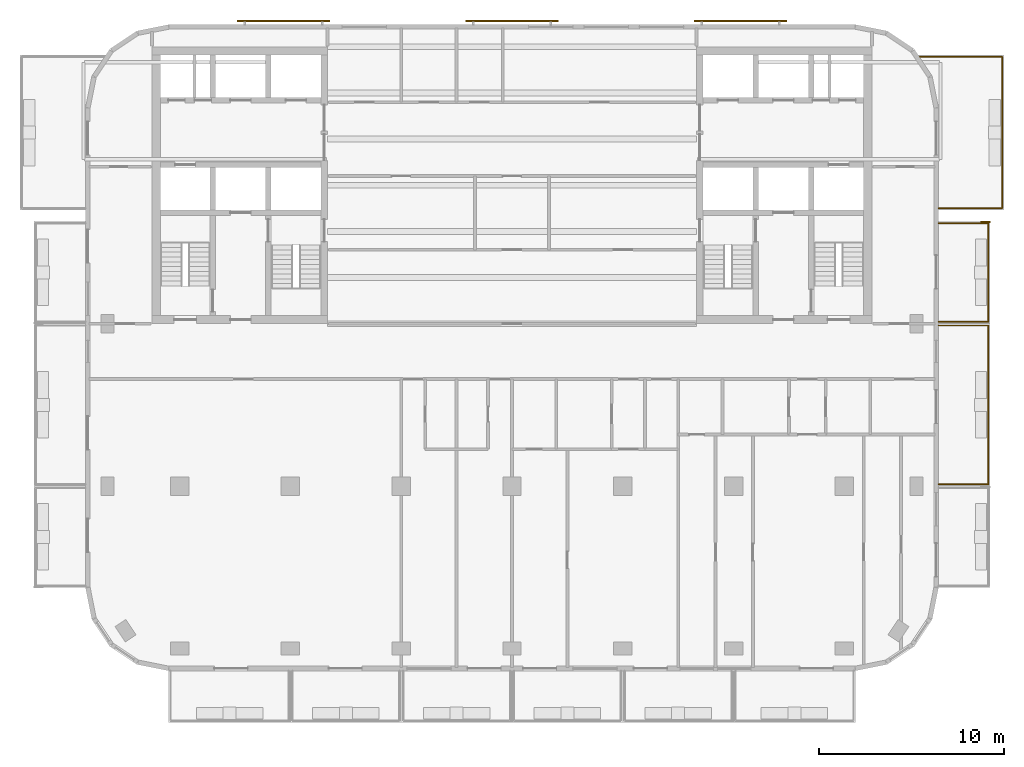
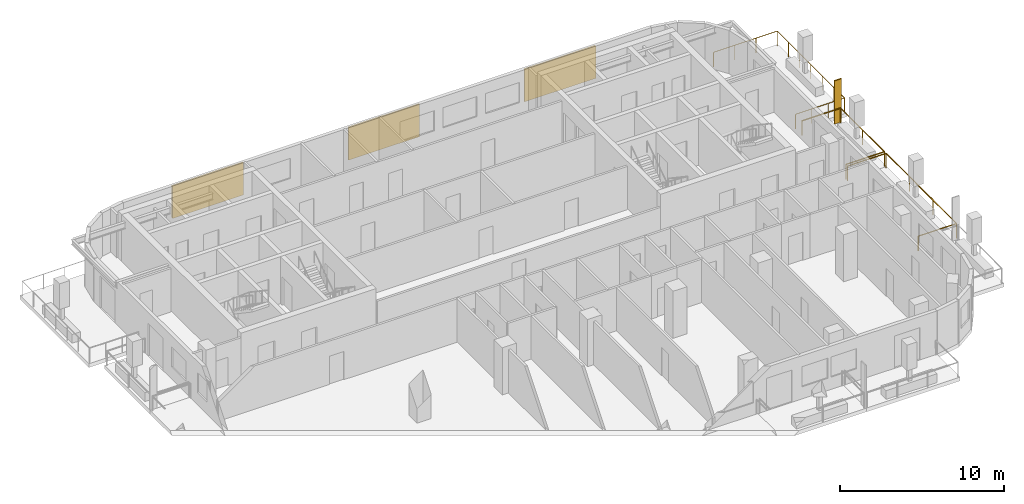
# One storey, part 9 of 10: 4 shading devices, 3 railings.
"""IFC4 building model written with IfcOpenShell, lengths in metres."""

from ifc_helpers import new_model, si_unit, direction, frame, origin, origin_2d, place, context, subcontext, project, spatial, rectangle, circle, extrude, material, layer, layer_set, type_object, element, save


model = new_model("IFC4")

# Units and contexts
model_context = context("Model", 3, precision=1e-05, world=origin(), true_north=direction((0.0, 1.0)))
body_context = subcontext(model_context, "Body", "Model", "MODEL_VIEW")
ifc_project = project(units=[si_unit("LENGTHUNIT", "METRE"), si_unit("AREAUNIT", "SQUARE_METRE"), si_unit("VOLUMEUNIT", "CUBIC_METRE"), si_unit("PLANEANGLEUNIT", "RADIAN"), si_unit("MASSUNIT", "GRAM", prefix="KILO")], contexts=[model_context])

# Site, building, storey
site_placement = place(None, origin())
site = spatial("IfcSite", under=ifc_project, at=site_placement, CompositionType="ELEMENT")
building_placement = place(site_placement, origin())
building = spatial("IfcBuilding", under=site, at=building_placement, Name="Torana Hotel and Residences", CompositionType="ELEMENT")
storey_placement = place(building_placement, frame((0.0, 0.0, 301.60009765625)))
storey = spatial("IfcBuildingStorey", under=building, at=storey_placement, Name="L80", CompositionType="ELEMENT", Elevation=301.60009765625)

# Shading device
ifc_material_1 = material(Name="Black powder coated aluminium", Category="aluminium")
ifc_layer_1 = layer(ifc_material_1, 0.080078125)
ifc_layer_set_1 = layer_set([ifc_layer_1], Name="FN1 VERTICAL FIN 500x80")
shading_device_type_1 = type_object("IfcShadingDeviceType", Name="FN1 VERTICAL FIN 500x80", PredefinedType="USERDEFINED", material=ifc_layer_set_1)
shading_device_placement = place(storey_placement, frame((25.64990234375, -9.489990234375, 0.0), z_axis=(0.0, 0.0, 1.0), x_axis=(0.0, -1.0, 0.0)))
element("IfcShadingDevice", 1, at=shading_device_placement, inside=storey, type_object=shading_device_type_1, Name="Fin 13", ObjectType="FIN", PredefinedType="USERDEFINED", context=body_context, shape_type="SweptSolid", body=[
    extrude(rectangle(XDim=0.080078125, YDim=0.5, at=origin_2d()), origin(), (0.0, 0.0, 1.0), 3.219970703125),
])

# Railings
ifc_material_2 = material(Name="Laminated glass balustrade with black handrail", Category="glass")
railing_type = type_object("IfcRailingType", Name="GR1 BALCONY GUARD 1100 GLASS", PredefinedType="GUARDRAIL", material=ifc_material_2)
railing_1_placement = place(storey_placement, frame((23.10009765625, -15.10009765625, 0.0)))
element("IfcRailing", 2, at=railing_1_placement, inside=storey, type_object=railing_type, Name="Balcony guard 12", PredefinedType="GUARDRAIL", context=body_context, shape_type="SweptSolid", body=[
    extrude(circle(Radius=0.02392578125, at=origin_2d()), frame((0.0, 0.0, 1.076171875), z_axis=(1.0, 0.0, 0.0), x_axis=(0.0, 1.0, 0.0)), (0.0, 0.0, 1.0), 2.699951171875),
    extrude(circle(Radius=0.02392578125, at=origin_2d()), frame((2.699951171875, 0.0, 1.076171875), z_axis=(0.0, -1.0, 0.0), x_axis=(1.0, 0.0, 0.0)), (0.0, 0.0, 1.0), 8.599853515625),
    extrude(circle(Radius=0.02392578125, at=origin_2d()), frame((2.699951171875, -8.599853515625, 1.076171875), z_axis=(-1.0, 0.0, 0.0), x_axis=(0.0, -1.0, 0.0)), (0.0, 0.0, 1.0), 2.699951171875),
    extrude(circle(Radius=0.02099609375, at=origin_2d()), origin(), (0.0, 0.0, 1.0), 1.052001953125),
    extrude(circle(Radius=0.02099609375, at=origin_2d()), frame((2.699951171875, 0.0, 0.0)), (0.0, 0.0, 1.0), 1.052001953125),
    extrude(circle(Radius=0.02099609375, at=origin_2d()), frame((2.699951171875, -2.86669921875, 0.0)), (0.0, 0.0, 1.0), 1.052001953125),
    extrude(circle(Radius=0.02099609375, at=origin_2d()), frame((2.699951171875, -5.733154296875, 0.0)), (0.0, 0.0, 1.0), 1.052001953125),
    extrude(circle(Radius=0.02099609375, at=origin_2d()), frame((2.699951171875, -8.599853515625, 0.0)), (0.0, 0.0, 1.0), 1.052001953125),
    extrude(circle(Radius=0.02099609375, at=origin_2d()), frame((0.0, -8.599853515625, 0.0)), (0.0, 0.0, 1.0), 1.052001953125),
])
railing_2_placement = place(storey_placement, frame((23.10009765625, -9.550048828125, 0.0)))
element("IfcRailing", 3, at=railing_2_placement, inside=storey, type_object=railing_type, Name="Balcony guard 13", PredefinedType="GUARDRAIL", context=body_context, shape_type="SweptSolid", body=[
    extrude(circle(Radius=0.02392578125, at=origin_2d()), frame((0.0, 0.0, 1.076171875), z_axis=(1.0, 0.0, 0.0), x_axis=(0.0, 1.0, 0.0)), (0.0, 0.0, 1.0), 2.699951171875),
    extrude(circle(Radius=0.02392578125, at=origin_2d()), frame((2.699951171875, 0.0, 1.076171875), z_axis=(0.0, -1.0, 0.0), x_axis=(1.0, 0.0, 0.0)), (0.0, 0.0, 1.0), 5.349853515625),
    extrude(circle(Radius=0.02392578125, at=origin_2d()), frame((2.699951171875, -5.349853515625, 1.076171875), z_axis=(-1.0, 0.0, 0.0), x_axis=(0.0, -1.0, 0.0)), (0.0, 0.0, 1.0), 2.699951171875),
    extrude(circle(Radius=0.02099609375, at=origin_2d()), origin(), (0.0, 0.0, 1.0), 1.052001953125),
    extrude(circle(Radius=0.02099609375, at=origin_2d()), frame((2.699951171875, 0.0, 0.0)), (0.0, 0.0, 1.0), 1.052001953125),
    extrude(circle(Radius=0.02099609375, at=origin_2d()), frame((2.699951171875, -2.6748046875, 0.0)), (0.0, 0.0, 1.0), 1.052001953125),
    extrude(circle(Radius=0.02099609375, at=origin_2d()), frame((2.699951171875, -5.349853515625, 0.0)), (0.0, 0.0, 1.0), 1.052001953125),
    extrude(circle(Radius=0.02099609375, at=origin_2d()), frame((0.0, -5.349853515625, 0.0)), (0.0, 0.0, 1.0), 1.052001953125),
])
railing_3_placement = place(storey_placement, frame((22.07080078125, -0.550048828125, 0.0)))
element("IfcRailing", 4, at=railing_3_placement, inside=storey, type_object=railing_type, Name="Balcony guard 14", PredefinedType="GUARDRAIL", context=body_context, shape_type="SweptSolid", body=[
    extrude(circle(Radius=0.02392578125, at=origin_2d()), frame((0.0, 0.0, 1.076171875), z_axis=(1.0, 0.0, 0.0), x_axis=(0.0, 1.0, 0.0)), (0.0, 0.0, 1.0), 4.479248046875),
    extrude(circle(Radius=0.02392578125, at=origin_2d()), frame((4.479248046875, 0.0, 1.076171875), z_axis=(0.0, -1.0, 0.0), x_axis=(1.0, 0.0, 0.0)), (0.0, 0.0, 1.0), 8.199951171875),
    extrude(circle(Radius=0.02392578125, at=origin_2d()), frame((4.479248046875, -8.199951171875, 1.076171875), z_axis=(-1.0, 0.0, 0.0), x_axis=(0.0, -1.0, 0.0)), (0.0, 0.0, 1.0), 3.449951171875),
    extrude(circle(Radius=0.02099609375, at=origin_2d()), origin(), (0.0, 0.0, 1.0), 1.052001953125),
    extrude(circle(Radius=0.02099609375, at=origin_2d()), frame((1.4931640625, 0.0, 0.0)), (0.0, 0.0, 1.0), 1.052001953125),
    extrude(circle(Radius=0.02099609375, at=origin_2d()), frame((2.986083984375, 0.0, 0.0)), (0.0, 0.0, 1.0), 1.052001953125),
    extrude(circle(Radius=0.02099609375, at=origin_2d()), frame((4.479248046875, 0.0, 0.0)), (0.0, 0.0, 1.0), 1.052001953125),
    extrude(circle(Radius=0.02099609375, at=origin_2d()), frame((4.479248046875, -1.36669921875, 0.0)), (0.0, 0.0, 1.0), 1.052001953125),
    extrude(circle(Radius=0.02099609375, at=origin_2d()), frame((4.479248046875, -2.7333984375, 0.0)), (0.0, 0.0, 1.0), 1.052001953125),
    extrude(circle(Radius=0.02099609375, at=origin_2d()), frame((4.479248046875, -4.10009765625, 0.0)), (0.0, 0.0, 1.0), 1.052001953125),
    extrude(circle(Radius=0.02099609375, at=origin_2d()), frame((4.479248046875, -5.466552734375, 0.0)), (0.0, 0.0, 1.0), 1.052001953125),
    extrude(circle(Radius=0.02099609375, at=origin_2d()), frame((4.479248046875, -6.833251953125, 0.0)), (0.0, 0.0, 1.0), 1.052001953125),
    extrude(circle(Radius=0.02099609375, at=origin_2d()), frame((4.479248046875, -8.199951171875, 0.0)), (0.0, 0.0, 1.0), 1.052001953125),
    extrude(circle(Radius=0.02099609375, at=origin_2d()), frame((3.329345703125, -8.199951171875, 0.0)), (0.0, 0.0, 1.0), 1.052001953125),
    extrude(circle(Radius=0.02099609375, at=origin_2d()), frame((2.17919921875, -8.199951171875, 0.0)), (0.0, 0.0, 1.0), 1.052001953125),
    extrude(circle(Radius=0.02099609375, at=origin_2d()), frame((1.029296875, -8.199951171875, 0.0)), (0.0, 0.0, 1.0), 1.052001953125),
])

# Shading devices
ifc_material_3 = material(Name="Concrete C40/50 precast", Category="concrete")
ifc_layer_2 = layer(ifc_material_3, 0.10009765625)
ifc_layer_set_2 = layer_set([ifc_layer_2], Name="SC1 PERFORATED BLOCK SCREEN PANEL 100")
shading_device_type_2 = type_object("IfcShadingDeviceType", Name="SC1 PERFORATED BLOCK SCREEN PANEL 100", PredefinedType="USERDEFINED", material=ifc_layer_set_2)
for number, where, z_axis, x_axis, name in (
    (5, (12.383544921875, 1.39990234375, 0.5), (0.0, 0.0, 1.0), (-1.0, 0.0, 0.0), "Perforated block screen L80"),
    (6, (0.0, 1.39990234375, 0.5), (0.0, 0.0, 1.0), (-1.0, 0.0, 0.0), "Perforated block screen L80"),
    (7, (-12.383544921875, 1.39990234375, 0.5), (0.0, 0.0, 1.0), (-1.0, 0.0, 0.0), "Perforated block screen L80"),
):
    element("IfcShadingDevice", number, at=place(storey_placement, frame(where, z_axis=z_axis, x_axis=x_axis)), inside=storey, type_object=shading_device_type_2, Name=name, ObjectType="SCREEN", PredefinedType="USERDEFINED", context=body_context, shape_type="SweptSolid", body=[
        extrude(rectangle(XDim=5.0, YDim=0.10009765625, at=origin_2d()), origin(), (0.0, 0.0, 1.0), 2.419921875),
    ])

save(model, "model.ifc")
